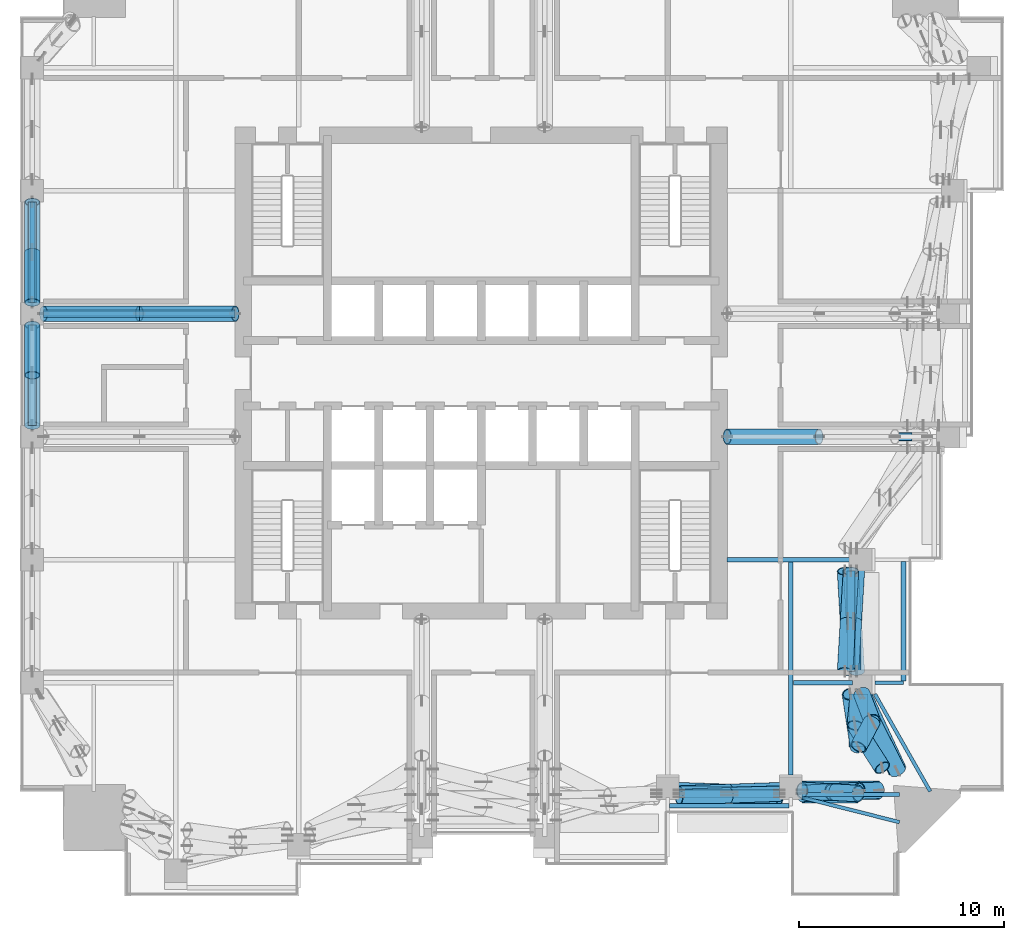
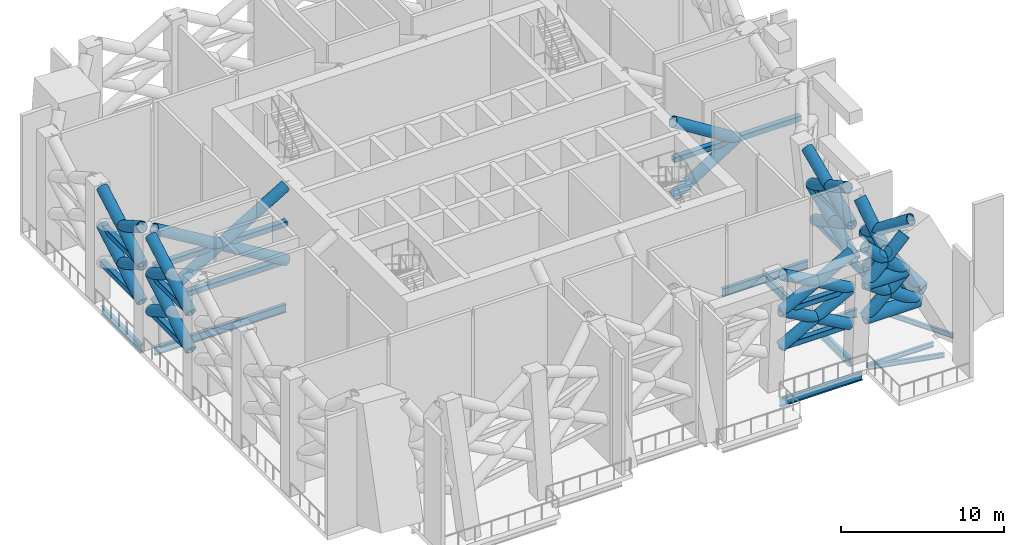
# One storey, part 3 of 19: 38 members, 26 beams.
"""IFC4 building model written with IfcOpenShell, lengths in metres."""

import ifcopenshell
import ifcopenshell.guid

model = None  # the IFC model being written
_history = None  # IfcOwnerHistory: only IFC2X3 demands one
_inside = {}  # id of a spatial element -> (the spatial element, [elements in it])
_under = {}  # id of a project, library or spatial element -> (it, [spatial elements below it])
_declared = {}  # id of a project -> (the project, [libraries it declares])
_typed = {}  # id of a type object -> (the type object, [elements of that type])
_made_of = {}  # id of a material, layer set ... -> (it, [elements and type objects made of it])


def new_model(schema):
    """Start an empty IFC model of exactly this schema.

    Asked for "IFC4X3", IfcOpenShell would pick the latest addendum, in which some entities
    have other attributes; the version numbers below select the first issue.
    IFC2X3 requires an IfcOwnerHistory on every rooted entity: one is made here for all.
    """
    global model, _history
    if schema == "IFC4X3":
        model = ifcopenshell.file(schema_version=(4, 3, 0, 0))
    else:
        model = ifcopenshell.file(schema=schema)
    _inside.clear()
    _under.clear()
    _declared.clear()
    _typed.clear()
    _made_of.clear()
    _history = None
    if model.schema == "IFC2X3":
        org = make("IfcOrganization", Name="unknown")
        user = make(
            "IfcPersonAndOrganization",
            ThePerson=make("IfcPerson", FamilyName="unknown"),
            TheOrganization=org,
        )
        app = make(
            "IfcApplication",
            ApplicationDeveloper=org,
            Version="unknown",
            ApplicationFullName="unknown",
            ApplicationIdentifier="unknown",
        )
        _history = make(
            "IfcOwnerHistory",
            OwningUser=user,
            OwningApplication=app,
            ChangeAction="ADDED",
            CreationDate=0,
        )
    return model


def make(cls, **values):
    """One entity of the class cls with the attributes given. An attribute that is None is left unset."""
    return model.create_entity(
        cls, **{name: value for name, value in values.items() if value is not None}
    )


def rooted(cls, **values):
    """An entity with a GlobalId (a new one), such as an element, a storey or a relation."""
    return make(cls, GlobalId=ifcopenshell.guid.new(), OwnerHistory=_history, **values)


def si_unit(unit_type, name, prefix=None):
    """IfcSIUnit, for example si_unit("LENGTHUNIT", "METRE", prefix="MILLI")."""
    return make("IfcSIUnit", UnitType=unit_type, Prefix=prefix, Name=name)


def assignment(units):
    """IfcUnitAssignment: the units of a project."""
    return None if units is None else make("IfcUnitAssignment", Units=units)


def point(xyz):
    """IfcCartesianPoint."""
    return None if xyz is None else make("IfcCartesianPoint", Coordinates=xyz)


def direction(xyz):
    """IfcDirection."""
    return None if xyz is None else make("IfcDirection", DirectionRatios=xyz)


def frame(location, z_axis=None, x_axis=None):
    """IfcAxis2Placement3D, a coordinate frame: its origin and axes. An axis left out is left unset."""
    return make(
        "IfcAxis2Placement3D",
        Location=point(location),
        Axis=direction(z_axis),
        RefDirection=direction(x_axis),
    )


def frame_2d(location, x_axis=None):
    """IfcAxis2Placement2D, a coordinate frame in the plane: its origin and x axis."""
    return make(
        "IfcAxis2Placement2D", Location=point(location), RefDirection=direction(x_axis)
    )


def origin():
    """The frame at (0, 0, 0) with its axes left unset."""
    return frame((0.0, 0.0, 0.0))


def origin_2d():
    """The frame at (0, 0) in the plane with its x axis left unset."""
    return frame_2d((0.0, 0.0))


def place(relative_to, where):
    """IfcLocalPlacement: puts the frame where relative to a parent placement (None: the world)."""
    return make(
        "IfcLocalPlacement", PlacementRelTo=relative_to, RelativePlacement=where
    )


def context(
    kind, dimensions, precision=None, world=None, true_north=None, identifier=None
):
    """IfcGeometricRepresentationContext, for example the 3D "Model" context."""
    return make(
        "IfcGeometricRepresentationContext",
        ContextIdentifier=identifier,
        ContextType=kind,
        CoordinateSpaceDimension=dimensions,
        Precision=precision,
        WorldCoordinateSystem=world,
        TrueNorth=true_north,
    )


def subcontext(parent, identifier, kind, view, scale=None):
    """IfcGeometricRepresentationSubContext, for example "Body" below "Model"."""
    return make(
        "IfcGeometricRepresentationSubContext",
        ContextIdentifier=identifier,
        ContextType=kind,
        ParentContext=parent,
        TargetScale=scale,
        TargetView=view,
    )


def project(units=None, contexts=None):
    """IfcProject with its units and contexts."""
    return rooted(
        "IfcProject",
        Name="project",
        RepresentationContexts=contexts,
        UnitsInContext=assignment(units),
    )


def spatial(cls, under=None, at=None, **own):
    """A site, building, storey or space (cls), placed at a placement, below another one or the project."""
    s = rooted(cls, ObjectPlacement=at, **own)
    if under is not None:
        _under.setdefault(under.id(), (under, []))[1].append(s)
    return s


def profile(cls, at=None, kind="AREA", **sizes):
    """A parametric profile (cls). Its sizes go by their IFC names, for example OverallWidth=200.0."""
    return make(cls, ProfileType=kind, Position=at, **sizes)


def hollow_rectangle(**sizes):
    """IfcRectangleHollowProfileDef."""
    return profile("IfcRectangleHollowProfileDef", **sizes)


def hollow_circle(**sizes):
    """IfcCircleHollowProfileDef."""
    return profile("IfcCircleHollowProfileDef", **sizes)


def i_section(**sizes):
    """IfcIShapeProfileDef."""
    return profile("IfcIShapeProfileDef", **sizes)


def extrude(swept, where, along, depth):
    """IfcExtrudedAreaSolid: the profile swept, set in the frame where, extruded along a direction by depth."""
    return make(
        "IfcExtrudedAreaSolid",
        SweptArea=swept,
        Position=where,
        ExtrudedDirection=direction(along),
        Depth=depth,
    )


def shape(context_of_items, identifier, shape_type, items):
    """IfcShapeRepresentation: the items that make up one representation, for example the "Body"."""
    return make(
        "IfcShapeRepresentation",
        ContextOfItems=context_of_items,
        RepresentationIdentifier=identifier,
        RepresentationType=shape_type,
        Items=items,
    )


def material(Name=None, Category=None):
    """IfcMaterial."""
    return make("IfcMaterial", Name=Name, Category=Category)


def material_profile(
    of_material, cross_section, Name=None, Category=None, Priority=None
):
    """IfcMaterialProfile: a cross section and its material."""
    return make(
        "IfcMaterialProfile",
        Name=Name,
        Material=of_material,
        Profile=cross_section,
        Priority=Priority,
        Category=Category,
    )


def profile_set(profiles, Name=None, composite=None):
    """IfcMaterialProfileSet."""
    return make(
        "IfcMaterialProfileSet",
        Name=Name,
        MaterialProfiles=profiles,
        CompositeProfile=composite,
    )


def made_of(thing, what):
    """Note that an element or type object is made of a material, layer set ...; save() writes the relation."""
    if what is not None:
        _made_of.setdefault(what.id(), (what, []))[1].append(thing)
    return thing


def type_object(cls, material=None, **own):
    """A type object (cls), such as IfcWallType, which elements share."""
    return made_of(rooted(cls, **own), material)


def element(
    cls,
    number,
    at=None,
    inside=None,
    cuts=None,
    type_object=None,
    material=None,
    context=None,
    identifier="Body",
    shape_type=None,
    held_by="IfcProductDefinitionShape",
    body=None,
    shapes=None,
    **own,
):
    """One element of the class cls, such as IfcWall. Its Tag is "e" and its number.

    at: its placement. inside: the storey or other place that contains it. cuts: it is an
    opening in that element (IfcRelVoidsElement). A single representation is given by context,
    identifier, shape_type and body (its items); several are given by shapes. held_by: the class
    of the entity that holds the representations. save() writes the other relations.
    """
    e = rooted(cls, Tag="e%d" % number, ObjectPlacement=at, **own)
    if body is not None:
        shapes = [shape(context, identifier, shape_type, body)]
    if shapes is not None:
        e.Representation = make(held_by, Representations=shapes)
    if inside is not None:
        _inside.setdefault(inside.id(), (inside, []))[1].append(e)
    if cuts is not None:
        rooted(
            "IfcRelVoidsElement", RelatingBuildingElement=cuts, RelatedOpeningElement=e
        )
    if type_object is not None:
        _typed.setdefault(type_object.id(), (type_object, []))[1].append(e)
    return made_of(e, material)


def aggregate(whole, parts):
    """IfcRelAggregates: a whole, such as a stair, and the parts it consists of."""
    return rooted("IfcRelAggregates", RelatingObject=whole, RelatedObjects=parts)


def save(model, path):
    """Write the relations noted so far, then the file.

    IfcRelAggregates (storeys below a building ...), IfcRelContainedInSpatialStructure (elements
    in a storey), IfcRelDefinesByType, IfcRelAssociatesMaterial and IfcRelDeclares: one each for
    every whole, place, type object, material and project.
    """
    for whole, parts in _under.values():
        aggregate(whole, parts)
    for where, things in _inside.values():
        rooted(
            "IfcRelContainedInSpatialStructure",
            RelatedElements=things,
            RelatingStructure=where,
        )
    for kind, things in _typed.values():
        rooted("IfcRelDefinesByType", RelatedObjects=things, RelatingType=kind)
    for what, things in _made_of.values():
        rooted("IfcRelAssociatesMaterial", RelatedObjects=things, RelatingMaterial=what)
    for by, libraries in _declared.values():
        rooted("IfcRelDeclares", RelatingContext=by, RelatedDefinitions=libraries)
    model.write(path)


model = new_model("IFC4")

# Units and contexts
model_context = context("Model", 3, precision=1e-05, world=origin(), true_north=direction((0.0, 1.0)))
body_context = subcontext(model_context, "Body", "Model", "MODEL_VIEW")
ifc_project = project(units=[si_unit("LENGTHUNIT", "METRE"), si_unit("AREAUNIT", "SQUARE_METRE"), si_unit("VOLUMEUNIT", "CUBIC_METRE"), si_unit("PLANEANGLEUNIT", "RADIAN"), si_unit("MASSUNIT", "GRAM", prefix="KILO")], contexts=[model_context])

# Site, building, storey
site_placement = place(None, origin())
site = spatial("IfcSite", under=ifc_project, at=site_placement, CompositionType="ELEMENT")
building_placement = place(site_placement, origin())
building = spatial("IfcBuilding", under=site, at=building_placement, Name="Amberfall Residences", CompositionType="ELEMENT")
storey_placement = place(building_placement, frame((0.0, 0.0, 124.89990234375)))
storey = spatial("IfcBuildingStorey", under=building, at=storey_placement, Name="L34", CompositionType="ELEMENT", Elevation=124.89990234375)

# Beams
ifc_material = material(Name="Steel S355", Category="steel")
ifc_material_profile_1 = material_profile(ifc_material, hollow_circle(Radius=0.457275390625, WallThickness=0.06005859375, at=origin_2d()), Name="CHS 914.4x60")
ifc_profile_set_1 = profile_set([ifc_material_profile_1], Name="Steel S355")
beam_type_1 = type_object("IfcBeamType", Name="Belt truss chord BT CHS 914.4x60", PredefinedType="BEAM", material=ifc_profile_set_1)
beam_1_placement = place(storey_placement, frame((94.8115234375, 26.087158203125, 3.0), z_axis=(-0.42072217015, 0.907189536726, 0.0), x_axis=(-0.907189536726, -0.42072217015, 0.0)))
element("IfcBeam", 1, at=beam_1_placement, inside=storey, type_object=beam_type_1, Name="Belt truss chord BT2 L34 SEE", PredefinedType="BEAM", context=body_context, shape_type="SweptSolid", body=[
    extrude(hollow_circle(Radius=0.457275390625, WallThickness=0.06005859375, at=origin_2d()), origin(), (0.0, 0.0, 1.0), 4.14794921875),
])
beam_2_placement = place(storey_placement, frame((92.901611328125, 27.2744140625, 5.646484375), z_axis=(0.0, 1.0, 0.0), x_axis=(-1.0, 0.0, 0.0)))
element("IfcBeam", 2, at=beam_2_placement, inside=storey, type_object=beam_type_1, Name="Belt truss chord BT2 L34 SEEm", PredefinedType="BEAM", context=body_context, shape_type="SweptSolid", body=[
    extrude(hollow_circle(Radius=0.457275390625, WallThickness=0.06005859375, at=origin_2d()), origin(), (0.0, 0.0, 1.0), 2.57568359375),
])
beam_3_placement = place(storey_placement, frame((93.91552734375, 25.153564453125, 3.0), z_axis=(-1.0, 0.0, 0.0), x_axis=(0.0, -1.0, 0.0)))
element("IfcBeam", 3, at=beam_3_placement, inside=storey, type_object=beam_type_1, Name="Belt truss chord BT2 L34 SES", PredefinedType="BEAM", context=body_context, shape_type="SweptSolid", body=[
    extrude(hollow_circle(Radius=0.457275390625, WallThickness=0.06005859375, at=origin_2d()), origin(), (0.0, 0.0, 1.0), 3.765625),
])
beam_4_placement = place(storey_placement, frame((92.887939453125, 24.99658203125, 5.646484375), z_axis=(-1.0, 0.0, 0.0), x_axis=(0.0, -1.0, 0.0)))
element("IfcBeam", 4, at=beam_4_placement, inside=storey, type_object=beam_type_1, Name="Belt truss chord BT2 L34 SESm", PredefinedType="BEAM", context=body_context, shape_type="SweptSolid", body=[
    extrude(hollow_circle(Radius=0.457275390625, WallThickness=0.06005859375, at=origin_2d()), origin(), (0.0, 0.0, 1.0), 2.738037109375),
])
ifc_material_profile_2 = material_profile(ifc_material, hollow_rectangle(XDim=0.39990234375, YDim=0.39990234375, WallThickness=0.02001953125, InnerFilletRadius=0.02001953125, OuterFilletRadius=0.030029296875, at=origin_2d()), Name="RHS 400x400x20")
ifc_profile_set_2 = profile_set([ifc_material_profile_2], Name="Steel S355")
beam_type_2 = type_object("IfcBeamType", Name="Belt truss chord BT RHS 400x400x20", PredefinedType="BEAM", material=ifc_profile_set_2)
for number, where, z_axis, x_axis, name in (
    (5, (84.14990234375, 25.159423828125, 2.900146484375), (1.0, 0.0, 0.0), (0.0, 1.0, 0.0), "Belt truss chord BT3 L34 S5"),
    (6, (84.14990234375, 24.99365234375, 5.7001953125), (1.0, 0.0, 0.0), (0.0, 1.0, 0.0), "Belt truss chord BT3 L34 S5m"),
    (7, (92.821533203125, 30.949951171875, 2.900146484375), (0.0, 1.0, 0.0), (-1.0, 0.0, 0.0), "Belt truss chord BT3 L34 E1"),
    (8, (92.53369140625, 30.949951171875, 5.7001953125), (0.0, 1.0, 0.0), (-1.0, 0.0, 0.0), "Belt truss chord BT3 L34 E1m"),
    (9, (52.60009765625, 42.949951171875, 2.900146484375), (0.0, 1.0, 0.0), (-1.0, 0.0, 0.0), "Belt truss chord BT3 L34 W3"),
    (10, (52.60009765625, 42.949951171875, 5.7001953125), (0.0, 1.0, 0.0), (-1.0, 0.0, 0.0), "Belt truss chord BT3 L34 W3m"),
    (11, (52.60009765625, 48.949951171875, 2.900146484375), (0.0, 1.0, 0.0), (-1.0, 0.0, 0.0), "Belt truss chord BT3 L34 W4"),
    (12, (52.60009765625, 48.949951171875, 5.7001953125), (0.0, 1.0, 0.0), (-1.0, 0.0, 0.0), "Belt truss chord BT3 L34 W4m"),
):
    element("IfcBeam", number, at=place(storey_placement, frame(where, z_axis=z_axis, x_axis=x_axis)), inside=storey, type_object=beam_type_2, Name=name, PredefinedType="BEAM", context=body_context, shape_type="SweptSolid", body=[
        extrude(hollow_rectangle(XDim=0.39990234375, YDim=0.39990234375, WallThickness=0.02001953125, InnerFilletRadius=0.02001953125, OuterFilletRadius=0.030029296875, at=origin_2d()), origin(), (0.0, 0.0, 1.0), 4.900146484375),
    ])

# Members
ifc_material_profile_3 = material_profile(ifc_material, hollow_circle(Radius=0.381103515625, WallThickness=0.0400390625, at=origin_2d()), Name="CHS 762x40")
ifc_profile_set_3 = profile_set([ifc_material_profile_3], Name="Steel S355")
member_type_1 = type_object("IfcMemberType", Name="Belt truss diagonal BT CHS 762x40", PredefinedType="BRACE", material=ifc_profile_set_3)
member_1_placement = place(storey_placement, frame((84.14990234375, 25.159423828125, 2.900146484375), z_axis=(0.867871505154, -0.029360009566, 0.495920397221), x_axis=(0.033810561915, 0.999428259508, 0.0)))
element("IfcMember", 13, at=member_1_placement, inside=storey, type_object=member_type_1, Name="Belt truss diagonal BT4 L34 S5d", PredefinedType="BRACE", context=body_context, shape_type="SweptSolid", body=[
    extrude(hollow_circle(Radius=0.381103515625, WallThickness=0.0400390625, at=origin_2d()), origin(), (0.0, 0.0, 1.0), 5.646240234375),
])
member_2_placement = place(storey_placement, frame((84.14990234375, 24.99365234375, 5.7001953125), z_axis=(0.867864667638, 0.029315077952, -0.495935020815), x_axis=(-0.033759144002, 0.999429997647, 0.0)))
element("IfcMember", 14, at=member_2_placement, inside=storey, type_object=member_type_1, Name="Belt truss diagonal BT4 L34 S5e", PredefinedType="BRACE", context=body_context, shape_type="SweptSolid", body=[
    extrude(hollow_circle(Radius=0.381103515625, WallThickness=0.0400390625, at=origin_2d()), origin(), (0.0, 0.0, 1.0), 2.8232421875),
])
member_3_placement = place(storey_placement, frame((86.60009765625, 25.076416015625, 4.300048828125), z_axis=(0.867878341482, 0.029404946298, -0.495905770808), x_axis=(-0.033861984685, 0.999426518556, 0.0)))
element("IfcMember", 15, at=member_3_placement, inside=storey, type_object=member_type_1, Name="Belt truss diagonal BT4 L34 S5e2", PredefinedType="BRACE", context=body_context, shape_type="SweptSolid", body=[
    extrude(hollow_circle(Radius=0.381103515625, WallThickness=0.0400390625, at=origin_2d()), origin(), (0.0, 0.0, 1.0), 2.822998046875),
])
member_4_placement = place(storey_placement, frame((84.14990234375, 24.99365234375, 5.7001953125), z_axis=(0.867889012592, -0.029403842786, 0.495887160401), x_axis=(0.033860299509, 0.999426575651, 0.0)))
element("IfcMember", 16, at=member_4_placement, inside=storey, type_object=member_type_1, Name="Belt truss diagonal BT4 L34 S5du", PredefinedType="BRACE", context=body_context, shape_type="SweptSolid", body=[
    extrude(hollow_circle(Radius=0.381103515625, WallThickness=0.0400390625, at=origin_2d()), origin(), (0.0, 0.0, 1.0), 5.64599609375),
])
member_5_placement = place(storey_placement, frame((84.14990234375, 24.82763671875, 8.5), z_axis=(0.867899682502, 0.029402739343, -0.495868551162), x_axis=(-0.033858614501, 0.999426632737, 0.0)))
element("IfcMember", 17, at=member_5_placement, inside=storey, type_object=member_type_1, Name="Belt truss diagonal BT4 L34 S5eu", PredefinedType="BRACE", context=body_context, shape_type="SweptSolid", body=[
    extrude(hollow_circle(Radius=0.381103515625, WallThickness=0.0400390625, at=origin_2d()), origin(), (0.0, 0.0, 1.0), 2.8232421875),
])
member_6_placement = place(storey_placement, frame((86.60009765625, 24.91064453125, 7.10009765625), z_axis=(0.867878341482, 0.029404946298, -0.495905770808), x_axis=(-0.033861984685, 0.999426518556, 0.0)))
element("IfcMember", 18, at=member_6_placement, inside=storey, type_object=member_type_1, Name="Belt truss diagonal BT4 L34 S5e2u", PredefinedType="BRACE", context=body_context, shape_type="SweptSolid", body=[
    extrude(hollow_circle(Radius=0.381103515625, WallThickness=0.0400390625, at=origin_2d()), origin(), (0.0, 0.0, 1.0), 2.822998046875),
])
member_7_placement = place(storey_placement, frame((92.821533203125, 30.949951171875, 2.900146484375), z_axis=(-0.050935828638, 0.86711875878, 0.495490261793), x_axis=(-0.998279172068, -0.058640383831, 0.0)))
element("IfcMember", 19, at=member_7_placement, inside=storey, type_object=member_type_1, Name="Belt truss diagonal BT4 L34 E1d", PredefinedType="BRACE", context=body_context, shape_type="SweptSolid", body=[
    extrude(hollow_circle(Radius=0.381103515625, WallThickness=0.0400390625, at=origin_2d()), origin(), (0.0, 0.0, 1.0), 5.651123046875),
])
member_8_placement = place(storey_placement, frame((92.53369140625, 30.949951171875, 5.7001953125), z_axis=(0.050893555041, 0.867091383431, -0.495542509614), x_axis=(-0.99828191169, 0.058593726556, 0.0)))
element("IfcMember", 20, at=member_8_placement, inside=storey, type_object=member_type_1, Name="Belt truss diagonal BT4 L34 E1e", PredefinedType="BRACE", context=body_context, shape_type="SweptSolid", body=[
    extrude(hollow_circle(Radius=0.381103515625, WallThickness=0.0400390625, at=origin_2d()), origin(), (0.0, 0.0, 1.0), 2.825439453125),
])
member_9_placement = place(storey_placement, frame((92.677490234375, 33.39990234375, 4.300048828125), z_axis=(0.050978100424, 0.867146128564, -0.495438013271), x_axis=(-0.998276430553, 0.058687036073, 0.0)))
element("IfcMember", 21, at=member_9_placement, inside=storey, type_object=member_type_1, Name="Belt truss diagonal BT4 L34 E1e2", PredefinedType="BRACE", context=body_context, shape_type="SweptSolid", body=[
    extrude(hollow_circle(Radius=0.381103515625, WallThickness=0.0400390625, at=origin_2d()), origin(), (0.0, 0.0, 1.0), 2.82568359375),
])
member_10_placement = place(storey_placement, frame((92.53369140625, 30.949951171875, 5.7001953125), z_axis=(-0.050980010238, 0.867135411432, 0.495456574077), x_axis=(-0.998276259245, -0.058689949973, 0.0)))
element("IfcMember", 22, at=member_10_placement, inside=storey, type_object=member_type_1, Name="Belt truss diagonal BT4 L34 E1du", PredefinedType="BRACE", context=body_context, shape_type="SweptSolid", body=[
    extrude(hollow_circle(Radius=0.381103515625, WallThickness=0.0400390625, at=origin_2d()), origin(), (0.0, 0.0, 1.0), 5.65087890625),
])
member_11_placement = place(storey_placement, frame((92.24560546875, 30.949951171875, 8.5), z_axis=(0.050981920172, 0.867124693096, -0.495475136045), x_axis=(-0.998276087912, 0.058692864162, 0.0)))
element("IfcMember", 23, at=member_11_placement, inside=storey, type_object=member_type_1, Name="Belt truss diagonal BT4 L34 E1eu", PredefinedType="BRACE", context=body_context, shape_type="SweptSolid", body=[
    extrude(hollow_circle(Radius=0.381103515625, WallThickness=0.0400390625, at=origin_2d()), origin(), (0.0, 0.0, 1.0), 2.825439453125),
])
member_12_placement = place(storey_placement, frame((92.3896484375, 33.39990234375, 7.10009765625), z_axis=(0.050978100424, 0.867146128564, -0.495438013271), x_axis=(-0.998276430553, 0.058687036073, 0.0)))
element("IfcMember", 24, at=member_12_placement, inside=storey, type_object=member_type_1, Name="Belt truss diagonal BT4 L34 E1e2u", PredefinedType="BRACE", context=body_context, shape_type="SweptSolid", body=[
    extrude(hollow_circle(Radius=0.381103515625, WallThickness=0.0400390625, at=origin_2d()), origin(), (0.0, 0.0, 1.0), 2.82568359375),
])
member_13_placement = place(storey_placement, frame((52.60009765625, 42.949951171875, 2.900146484375), z_axis=(0.0, 0.868245804187, 0.496134279718), x_axis=(-1.0, 0.0, 0.0)))
element("IfcMember", 25, at=member_13_placement, inside=storey, type_object=member_type_1, Name="Belt truss diagonal BT4 L34 W3d", PredefinedType="BRACE", context=body_context, shape_type="SweptSolid", body=[
    extrude(hollow_circle(Radius=0.381103515625, WallThickness=0.0400390625, at=origin_2d()), origin(), (0.0, 0.0, 1.0), 5.643798828125),
])
member_14_placement = place(storey_placement, frame((52.60009765625, 45.39990234375, 4.300048828125), z_axis=(0.0, 0.868275084713, -0.49608303465), x_axis=(-1.0, 0.0, 0.0)))
element("IfcMember", 26, at=member_14_placement, inside=storey, type_object=member_type_1, Name="Belt truss diagonal BT4 L34 W3e2", PredefinedType="BRACE", context=body_context, shape_type="SweptSolid", body=[
    extrude(hollow_circle(Radius=0.381103515625, WallThickness=0.0400390625, at=origin_2d()), origin(), (0.0, 0.0, 1.0), 2.822021484375),
])
member_15_placement = place(storey_placement, frame((52.60009765625, 42.949951171875, 5.7001953125), z_axis=(0.0, 0.868264438383, 0.496101668047), x_axis=(-1.0, 0.0, 0.0)))
element("IfcMember", 27, at=member_15_placement, inside=storey, type_object=member_type_1, Name="Belt truss diagonal BT4 L34 W3du", PredefinedType="BRACE", context=body_context, shape_type="SweptSolid", body=[
    extrude(hollow_circle(Radius=0.381103515625, WallThickness=0.0400390625, at=origin_2d()), origin(), (0.0, 0.0, 1.0), 5.6435546875),
])
member_16_placement = place(storey_placement, frame((52.60009765625, 45.39990234375, 7.10009765625), z_axis=(0.0, 0.868275084713, -0.49608303465), x_axis=(-1.0, 0.0, 0.0)))
element("IfcMember", 28, at=member_16_placement, inside=storey, type_object=member_type_1, Name="Belt truss diagonal BT4 L34 W3e2u", PredefinedType="BRACE", context=body_context, shape_type="SweptSolid", body=[
    extrude(hollow_circle(Radius=0.381103515625, WallThickness=0.0400390625, at=origin_2d()), origin(), (0.0, 0.0, 1.0), 2.822021484375),
])
member_17_placement = place(storey_placement, frame((52.60009765625, 48.949951171875, 2.900146484375), z_axis=(0.0, 0.868245804187, 0.496134279718), x_axis=(-1.0, 0.0, 0.0)))
element("IfcMember", 29, at=member_17_placement, inside=storey, type_object=member_type_1, Name="Belt truss diagonal BT4 L34 W4d", PredefinedType="BRACE", context=body_context, shape_type="SweptSolid", body=[
    extrude(hollow_circle(Radius=0.381103515625, WallThickness=0.0400390625, at=origin_2d()), origin(), (0.0, 0.0, 1.0), 5.643798828125),
])
member_18_placement = place(storey_placement, frame((52.60009765625, 48.949951171875, 5.7001953125), z_axis=(0.0, 0.868216519694, -0.496185524708), x_axis=(-1.0, 0.0, 0.0)))
element("IfcMember", 30, at=member_18_placement, inside=storey, type_object=member_type_1, Name="Belt truss diagonal BT4 L34 W4e", PredefinedType="BRACE", context=body_context, shape_type="SweptSolid", body=[
    extrude(hollow_circle(Radius=0.381103515625, WallThickness=0.0400390625, at=origin_2d()), origin(), (0.0, 0.0, 1.0), 2.82177734375),
])
member_19_placement = place(storey_placement, frame((52.60009765625, 48.949951171875, 5.7001953125), z_axis=(0.0, 0.868264438383, 0.496101668047), x_axis=(-1.0, 0.0, 0.0)))
element("IfcMember", 31, at=member_19_placement, inside=storey, type_object=member_type_1, Name="Belt truss diagonal BT4 L34 W4du", PredefinedType="BRACE", context=body_context, shape_type="SweptSolid", body=[
    extrude(hollow_circle(Radius=0.381103515625, WallThickness=0.0400390625, at=origin_2d()), origin(), (0.0, 0.0, 1.0), 5.6435546875),
])
member_20_placement = place(storey_placement, frame((52.60009765625, 48.949951171875, 8.5), z_axis=(0.0, 0.868253790854, -0.496120302616), x_axis=(-1.0, 0.0, 0.0)))
element("IfcMember", 32, at=member_20_placement, inside=storey, type_object=member_type_1, Name="Belt truss diagonal BT4 L34 W4eu", PredefinedType="BRACE", context=body_context, shape_type="SweptSolid", body=[
    extrude(hollow_circle(Radius=0.381103515625, WallThickness=0.0400390625, at=origin_2d()), origin(), (0.0, 0.0, 1.0), 2.82177734375),
])
ifc_material_profile_4 = material_profile(ifc_material, hollow_circle(Radius=0.406494140625, WallThickness=0.050048828125, at=origin_2d()), Name="CHS 813x50")
ifc_profile_set_4 = profile_set([ifc_material_profile_4], Name="Steel S355")
member_type_2 = type_object("IfcMemberType", Name="Belt truss diagonal BT CHS 813x50", PredefinedType="BRACE", material=ifc_profile_set_4)
member_21_placement = place(storey_placement, frame((94.8115234375, 26.087158203125, 3.0), z_axis=(-0.383431794593, 0.755443467987, 0.531305209433), x_axis=(-0.891714907536, -0.452597529466, 0.0)))
element("IfcMember", 33, at=member_21_placement, inside=storey, type_object=member_type_2, Name="Belt truss diagonal BT5 L34 SEEd", PredefinedType="BRACE", context=body_context, shape_type="SweptSolid", body=[
    extrude(hollow_circle(Radius=0.406494140625, WallThickness=0.050048828125, at=origin_2d()), origin(), (0.0, 0.0, 1.0), 4.981201171875),
])
member_22_placement = place(storey_placement, frame((92.901611328125, 27.2744140625, 5.646484375), z_axis=(0.393295398096, 0.740481291886, -0.544982739363), x_axis=(-0.883157861031, 0.469075892047, 0.0)))
element("IfcMember", 34, at=member_22_placement, inside=storey, type_object=member_type_2, Name="Belt truss diagonal BT5 L34 SEEe", PredefinedType="BRACE", context=body_context, shape_type="SweptSolid", body=[
    extrude(hollow_circle(Radius=0.406494140625, WallThickness=0.050048828125, at=origin_2d()), origin(), (0.0, 0.0, 1.0), 1.69970703125),
])
member_23_placement = place(storey_placement, frame((93.570068359375, 28.532958984375, 4.72021484375), z_axis=(-0.226432606168, 0.59214925365, -0.773361193923), x_axis=(-0.93403994385, -0.357168564256, 0.0)))
element("IfcMember", 35, at=member_23_placement, inside=storey, type_object=member_type_2, Name="Belt truss diagonal BT5 L34 SEEe2", PredefinedType="BRACE", context=body_context, shape_type="SweptSolid", body=[
    extrude(hollow_circle(Radius=0.406494140625, WallThickness=0.050048828125, at=origin_2d()), origin(), (0.0, 0.0, 1.0), 2.224365234375),
])
member_24_placement = place(storey_placement, frame((92.901611328125, 27.2744140625, 5.646484375), z_axis=(-0.105708575172, 0.693548176659, 0.712612534122), x_axis=(-0.988583058865, -0.150676924991, 0.0)))
element("IfcMember", 36, at=member_24_placement, inside=storey, type_object=member_type_2, Name="Belt truss diagonal BT5 L34 SEEdu", PredefinedType="BRACE", context=body_context, shape_type="SweptSolid", body=[
    extrude(hollow_circle(Radius=0.406494140625, WallThickness=0.050048828125, at=origin_2d()), origin(), (0.0, 0.0, 1.0), 3.7138671875),
])
member_25_placement = place(storey_placement, frame((94.06298828125, 26.25439453125, 8.29296875), z_axis=(-0.453456213777, 0.708897345849, -0.540224041704), x_axis=(-0.842399833139, -0.538852968005, 0.0)))
element("IfcMember", 37, at=member_25_placement, inside=storey, type_object=member_type_2, Name="Belt truss diagonal BT5 L34 SEEeu", PredefinedType="BRACE", context=body_context, shape_type="SweptSolid", body=[
    extrude(hollow_circle(Radius=0.406494140625, WallThickness=0.050048828125, at=origin_2d()), origin(), (0.0, 0.0, 1.0), 2.912109375),
])
member_26_placement = place(storey_placement, frame((92.742431640625, 28.31884765625, 6.7197265625), z_axis=(0.084820006885, 0.815937244147, -0.571884586299), x_axis=(-0.994640176053, 0.103396906056, 0.0)))
element("IfcMember", 38, at=member_26_placement, inside=storey, type_object=member_type_2, Name="Belt truss diagonal BT5 L34 SEEe2u", PredefinedType="BRACE", context=body_context, shape_type="SweptSolid", body=[
    extrude(hollow_circle(Radius=0.406494140625, WallThickness=0.050048828125, at=origin_2d()), origin(), (0.0, 0.0, 1.0), 1.876708984375),
])
member_27_placement = place(storey_placement, frame((93.91552734375, 25.153564453125, 3.0), z_axis=(-0.817678457403, -0.034087606854, 0.574665098434), x_axis=(0.041652099867, -0.999132174728, 0.0)))
element("IfcMember", 39, at=member_27_placement, inside=storey, type_object=member_type_2, Name="Belt truss diagonal BT5 L34 SESd", PredefinedType="BRACE", context=body_context, shape_type="SweptSolid", body=[
    extrude(hollow_circle(Radius=0.406494140625, WallThickness=0.050048828125, at=origin_2d()), origin(), (0.0, 0.0, 1.0), 4.605224609375),
])
member_28_placement = place(storey_placement, frame((92.887939453125, 24.99658203125, 5.646484375), z_axis=(-0.718424876027, 0.04123980966, -0.69438100176), x_axis=(-0.057308750755, -0.998356503002, 0.0)))
element("IfcMember", 40, at=member_28_placement, inside=storey, type_object=member_type_2, Name="Belt truss diagonal BT5 L34 SESe", PredefinedType="BRACE", context=body_context, shape_type="SweptSolid", body=[
    extrude(hollow_circle(Radius=0.406494140625, WallThickness=0.050048828125, at=origin_2d()), origin(), (0.0, 0.0, 1.0), 1.604248046875),
])
member_29_placement = place(storey_placement, frame((91.7353515625, 25.062744140625, 4.532470703125), z_axis=(-0.718408770326, 0.041153074001, -0.694402810492), x_axis=(-0.057189891376, -0.9983633188, 0.0)))
element("IfcMember", 41, at=member_29_placement, inside=storey, type_object=member_type_2, Name="Belt truss diagonal BT5 L34 SESe2", PredefinedType="BRACE", context=body_context, shape_type="SweptSolid", body=[
    extrude(hollow_circle(Radius=0.406494140625, WallThickness=0.050048828125, at=origin_2d()), origin(), (0.0, 0.0, 1.0), 2.206787109375),
])
member_30_placement = place(storey_placement, frame((92.887939453125, 24.99658203125, 5.646484375), z_axis=(-0.718483678552, 0.038823103808, 0.694459480651), x_axis=(-0.053956062975, -0.998543310662, 0.0)))
element("IfcMember", 42, at=member_30_placement, inside=storey, type_object=member_type_2, Name="Belt truss diagonal BT5 L34 SESdu", PredefinedType="BRACE", context=body_context, shape_type="SweptSolid", body=[
    extrude(hollow_circle(Radius=0.406494140625, WallThickness=0.050048828125, at=origin_2d()), origin(), (0.0, 0.0, 1.0), 3.810791015625),
])
member_31_placement = place(storey_placement, frame((92.952880859375, 25.14453125, 8.29296875), z_axis=(-0.726563555071, -0.038279691435, -0.686032117081), x_axis=(0.052612979216, -0.998614978066, 0.0)))
element("IfcMember", 43, at=member_31_placement, inside=storey, type_object=member_type_2, Name="Belt truss diagonal BT5 L34 SESeu", PredefinedType="BRACE", context=body_context, shape_type="SweptSolid", body=[
    extrude(hollow_circle(Radius=0.406494140625, WallThickness=0.050048828125, at=origin_2d()), origin(), (0.0, 0.0, 1.0), 1.95166015625),
])
member_32_placement = place(storey_placement, frame((91.534912109375, 25.06982421875, 6.9541015625), z_axis=(-0.726593482108, -0.038423769546, -0.685992365622), x_axis=(0.052808284984, -0.998604669044, 0.0)))
element("IfcMember", 44, at=member_32_placement, inside=storey, type_object=member_type_2, Name="Belt truss diagonal BT5 L34 SESe2u", PredefinedType="BRACE", context=body_context, shape_type="SweptSolid", body=[
    extrude(hollow_circle(Radius=0.406494140625, WallThickness=0.050048828125, at=origin_2d()), origin(), (0.0, 0.0, 1.0), 1.90625),
])

# Beams
ifc_material_profile_5 = material_profile(ifc_material, i_section(OverallWidth=0.171142578125, OverallDepth=0.351318359375, WebThickness=0.007080078125, FlangeThickness=0.009765625, FilletRadius=0.01025390625, at=origin_2d()), Name="UB 356x171x45")
ifc_profile_set_5 = profile_set([ifc_material_profile_5], Name="Steel S355")
beam_type_3 = type_object("IfcBeamType", Name="Cantilever girder UB 356x171x45", PredefinedType="BEAM", material=ifc_profile_set_5)
beam_5_placement = place(storey_placement, frame((93.699951171875, 30.39990234375, -0.525634765625), z_axis=(1.0, 0.0, 0.0), x_axis=(0.0, 1.0, 0.0)))
element("IfcBeam", 45, at=beam_5_placement, inside=storey, type_object=beam_type_3, Name="Cantilever girder B8 L34 20", PredefinedType="BEAM", context=body_context, shape_type="SweptSolid", body=[
    extrude(i_section(OverallWidth=0.171142578125, OverallDepth=0.351318359375, WebThickness=0.007080078125, FlangeThickness=0.009765625, FilletRadius=0.01025390625, at=origin_2d()), origin(), (0.0, 0.0, 1.0), 1.400146484375),
])
ifc_material_profile_6 = material_profile(ifc_material, i_section(OverallWidth=0.228271484375, OverallDepth=0.607666015625, WebThickness=0.010986328125, FlangeThickness=0.017333984375, FilletRadius=0.0126953125, at=origin_2d()), Name="UB 610x229x113")
ifc_profile_set_6 = profile_set([ifc_material_profile_6], Name="Steel S355")
beam_type_4 = type_object("IfcBeamType", Name="Edge beam UB 610x229x113", PredefinedType="SPANDREL", material=ifc_profile_set_6)
for number, where, z_axis, x_axis, name in (
    (46, (83.679931640625, 24.39990234375, -0.65380859375), (1.0, 0.0, 0.0), (0.0, 1.0, 0.0), "Edge beam B12 L34 05"),
    (47, (95.10009765625, 30.47998046875, -0.65380859375), (0.0, 1.0, 0.0), (-1.0, 0.0, 0.0), "Edge beam B12 L34 15"),
):
    element("IfcBeam", number, at=place(storey_placement, frame(where, z_axis=z_axis, x_axis=x_axis)), inside=storey, type_object=beam_type_4, Name=name, PredefinedType="SPANDREL", context=body_context, shape_type="SweptSolid", body=[
        extrude(i_section(OverallWidth=0.228271484375, OverallDepth=0.607666015625, WebThickness=0.010986328125, FlangeThickness=0.017333984375, FilletRadius=0.0126953125, at=origin_2d()), origin(), (0.0, 0.0, 1.0), 5.840087890625),
    ])
beam_6_placement = place(storey_placement, frame((52.60009765625, 48.949951171875, -0.65380859375), z_axis=(0.0, 1.0, 0.0), x_axis=(-1.0, 0.0, 0.0)))
element("IfcBeam", 48, at=beam_6_placement, inside=storey, type_object=beam_type_4, Name="Edge beam B12 L34 43", PredefinedType="SPANDREL", context=body_context, shape_type="SweptSolid", body=[
    extrude(i_section(OverallWidth=0.228271484375, OverallDepth=0.607666015625, WebThickness=0.010986328125, FlangeThickness=0.017333984375, FilletRadius=0.0126953125, at=origin_2d()), origin(), (0.0, 0.0, 1.0), 4.900146484375),
])
ifc_material_profile_7 = material_profile(ifc_material, i_section(OverallWidth=0.230224609375, OverallDepth=0.6171875, WebThickness=0.01318359375, FlangeThickness=0.022216796875, FilletRadius=0.0126953125, at=origin_2d()), Name="UB 610x229x140")
ifc_profile_set_7 = profile_set([ifc_material_profile_7], Name="Steel S355")
beam_type_5 = type_object("IfcBeamType", Name="Floor girder UB 610x229x140", PredefinedType="BEAM", material=ifc_profile_set_7)
beam_7_placement = place(storey_placement, frame((89.60009765625, 25.89990234375, -0.658447265625), z_axis=(0.0, 1.0, 0.0), x_axis=(-1.0, 0.0, 0.0)))
element("IfcBeam", 49, at=beam_7_placement, inside=storey, type_object=beam_type_5, Name="Floor girder B13 L34 14", PredefinedType="BEAM", context=body_context, shape_type="SweptSolid", body=[
    extrude(i_section(OverallWidth=0.230224609375, OverallDepth=0.6171875, WebThickness=0.01318359375, FlangeThickness=0.022216796875, FilletRadius=0.0126953125, at=origin_2d()), origin(), (0.0, 0.0, 1.0), 10.389892578125),
])
beam_8_placement = place(storey_placement, frame((92.60009765625, 30.39990234375, -0.658447265625), z_axis=(-1.0, 0.0, 0.0), x_axis=(0.0, -1.0, 0.0)))
element("IfcBeam", 50, at=beam_8_placement, inside=storey, type_object=beam_type_5, Name="Floor girder B13 L34 23", PredefinedType="BEAM", context=body_context, shape_type="SweptSolid", body=[
    extrude(i_section(OverallWidth=0.230224609375, OverallDepth=0.6171875, WebThickness=0.01318359375, FlangeThickness=0.022216796875, FilletRadius=0.0126953125, at=origin_2d()), origin(), (0.0, 0.0, 1.0), 2.880126953125),
])
beam_9_placement = place(storey_placement, frame((92.60009765625, 36.39990234375, -0.658447265625), z_axis=(-1.0, 0.0, 0.0), x_axis=(0.0, -1.0, 0.0)))
element("IfcBeam", 51, at=beam_9_placement, inside=storey, type_object=beam_type_5, Name="Floor girder B13 L34 24", PredefinedType="BEAM", context=body_context, shape_type="SweptSolid", body=[
    extrude(i_section(OverallWidth=0.230224609375, OverallDepth=0.6171875, WebThickness=0.01318359375, FlangeThickness=0.022216796875, FilletRadius=0.0126953125, at=origin_2d()), origin(), (0.0, 0.0, 1.0), 6.10009765625),
])
beam_10_placement = place(storey_placement, frame((53.14990234375, 48.39990234375, -0.658447265625), z_axis=(1.0, 0.0, 0.0), x_axis=(0.0, 1.0, 0.0)))
element("IfcBeam", 52, at=beam_10_placement, inside=storey, type_object=beam_type_5, Name="Floor girder B13 L34 48", PredefinedType="BEAM", context=body_context, shape_type="SweptSolid", body=[
    extrude(i_section(OverallWidth=0.230224609375, OverallDepth=0.6171875, WebThickness=0.01318359375, FlangeThickness=0.022216796875, FilletRadius=0.0126953125, at=origin_2d()), origin(), (0.0, 0.0, 1.0), 9.35009765625),
])
ifc_material_profile_8 = material_profile(ifc_material, i_section(OverallWidth=0.171142578125, OverallDepth=0.351318359375, WebThickness=0.007080078125, FlangeThickness=0.009765625, FilletRadius=0.01025390625, at=origin_2d()), Name="UB 356x171x45")
ifc_profile_set_8 = profile_set([ifc_material_profile_8], Name="Steel S355")
beam_type_6 = type_object("IfcBeamType", Name="Link beam UB 356x171x45", PredefinedType="BEAM", material=ifc_profile_set_8)
beam_11_placement = place(storey_placement, frame((90.14990234375, 24.949951171875, -0.525634765625), z_axis=(1.0, 0.0, 0.0), x_axis=(0.0, 1.0, 0.0)))
element("IfcBeam", 53, at=beam_11_placement, inside=storey, type_object=beam_type_6, Name="Link beam B7 L34 51", PredefinedType="BEAM", context=body_context, shape_type="SweptSolid", body=[
    extrude(i_section(OverallWidth=0.171142578125, OverallDepth=0.351318359375, WebThickness=0.007080078125, FlangeThickness=0.009765625, FilletRadius=0.01025390625, at=origin_2d()), origin(), (0.0, 0.0, 1.0), 4.75),
])
beam_12_placement = place(storey_placement, frame((94.89990234375, 23.60009765625, -0.525634765625), z_axis=(-0.969541561087, 0.244926848928, 0.0), x_axis=(-0.244926848928, -0.969541561087, 0.0)))
element("IfcBeam", 54, at=beam_12_placement, inside=storey, type_object=beam_type_6, Name="Link beam B7 L34 54", PredefinedType="BEAM", context=body_context, shape_type="SweptSolid", body=[
    extrude(i_section(OverallWidth=0.171142578125, OverallDepth=0.351318359375, WebThickness=0.007080078125, FlangeThickness=0.009765625, FilletRadius=0.01025390625, at=origin_2d()), origin(), (0.0, 0.0, 1.0), 4.899169921875),
])
beam_13_placement = place(storey_placement, frame((96.39990234375, 25.10009765625, -0.525634765625), z_axis=(-0.494159870511, 0.869371049884, 0.0), x_axis=(-0.869371049884, -0.494159870511, 0.0)))
element("IfcBeam", 55, at=beam_13_placement, inside=storey, type_object=beam_type_6, Name="Link beam B7 L34 55", PredefinedType="BEAM", context=body_context, shape_type="SweptSolid", body=[
    extrude(i_section(OverallWidth=0.171142578125, OverallDepth=0.351318359375, WebThickness=0.007080078125, FlangeThickness=0.009765625, FilletRadius=0.01025390625, at=origin_2d()), origin(), (0.0, 0.0, 1.0), 5.463623046875),
])
ifc_material_profile_9 = material_profile(ifc_material, hollow_rectangle(XDim=0.39990234375, YDim=0.39990234375, WallThickness=0.02001953125, InnerFilletRadius=0.02001953125, OuterFilletRadius=0.030029296875, at=origin_2d()), Name="RHS 400x400x20")
ifc_profile_set_9 = profile_set([ifc_material_profile_9], Name="Steel S355")
beam_type_7 = type_object("IfcBeamType", Name="Outrigger truss chord OT RHS 400x400x20", PredefinedType="BEAM", material=ifc_profile_set_9)
for number, where, z_axis, x_axis, name in (
    (56, (53.14990234375, 48.39990234375, 2.900146484375), (1.0, 0.0, 0.0), (0.0, 1.0, 0.0), "Outrigger truss chord OT2 L34 6"),
    (57, (53.14990234375, 48.39990234375, 5.7001953125), (1.0, 0.0, 0.0), (0.0, 1.0, 0.0), "Outrigger truss chord OT2 L34 6m"),
):
    element("IfcBeam", number, at=place(storey_placement, frame(where, z_axis=z_axis, x_axis=x_axis)), inside=storey, type_object=beam_type_7, Name=name, PredefinedType="BEAM", context=body_context, shape_type="SweptSolid", body=[
        extrude(hollow_rectangle(XDim=0.39990234375, YDim=0.39990234375, WallThickness=0.02001953125, InnerFilletRadius=0.02001953125, OuterFilletRadius=0.030029296875, at=origin_2d()), origin(), (0.0, 0.0, 1.0), 9.35009765625),
    ])
beam_14_placement = place(storey_placement, frame((95.50341796875, 42.39990234375, 5.7001953125), z_axis=(-1.0, 0.0, 0.0), x_axis=(0.0, -1.0, 0.0)))
element("IfcBeam", 58, at=beam_14_placement, inside=storey, type_object=beam_type_7, Name="Outrigger truss chord OT2 L34 7m", PredefinedType="BEAM", context=body_context, shape_type="SweptSolid", body=[
    extrude(hollow_rectangle(XDim=0.39990234375, YDim=0.39990234375, WallThickness=0.02001953125, InnerFilletRadius=0.02001953125, OuterFilletRadius=0.030029296875, at=origin_2d()), origin(), (0.0, 0.0, 1.0), 9.00341796875),
])

# Members
ifc_material_profile_10 = material_profile(ifc_material, hollow_circle(Radius=0.381103515625, WallThickness=0.0400390625, at=origin_2d()), Name="CHS 762x40")
ifc_profile_set_10 = profile_set([ifc_material_profile_10], Name="Steel S355")
member_type_3 = type_object("IfcMemberType", Name="Outrigger truss diagonal OT CHS 762x40", PredefinedType="BRACE", material=ifc_profile_set_10)
for number, where, z_axis, x_axis, name in (
    (59, (53.14990234375, 48.39990234375, 2.900146484375), (0.857895872099, 0.0, 0.513823581237), (0.0, 1.0, 0.0), "Outrigger truss diagonal OT3 L34 6.1"),
    (60, (57.824951171875, 48.39990234375, 5.7001953125), (0.857895872099, 0.0, -0.513823581237), (0.0, 1.0, 0.0), "Outrigger truss diagonal OT3 L34 6.2"),
):
    element("IfcMember", number, at=place(storey_placement, frame(where, z_axis=z_axis, x_axis=x_axis)), inside=storey, type_object=member_type_3, Name=name, PredefinedType="BRACE", context=body_context, shape_type="SweptSolid", body=[
        extrude(hollow_circle(Radius=0.381103515625, WallThickness=0.0400390625, at=origin_2d()), origin(), (0.0, 0.0, 1.0), 5.449462890625),
    ])
for number, where, z_axis, x_axis, name in (
    (61, (53.14990234375, 48.39990234375, 8.5), (0.857915620555, 0.0, -0.513790607161), (0.0, 1.0, 0.0), "Outrigger truss diagonal OT3 L34 6.1u"),
    (62, (57.824951171875, 48.39990234375, 5.7001953125), (0.857915620555, 0.0, 0.513790607161), (0.0, 1.0, 0.0), "Outrigger truss diagonal OT3 L34 6.2u"),
):
    element("IfcMember", number, at=place(storey_placement, frame(where, z_axis=z_axis, x_axis=x_axis)), inside=storey, type_object=member_type_3, Name=name, PredefinedType="BRACE", context=body_context, shape_type="SweptSolid", body=[
        extrude(hollow_circle(Radius=0.381103515625, WallThickness=0.0400390625, at=origin_2d()), origin(), (0.0, 0.0, 1.0), 5.44921875),
    ])
for number, where, z_axis, x_axis, name in (
    (63, (90.98486328125, 42.39990234375, 5.7001953125), (-0.848252433658, 0.0, -0.529592115494), (0.0, -1.0, 0.0), "Outrigger truss diagonal OT3 L34 7.2"),
    (64, (90.98486328125, 42.39990234375, 5.7001953125), (-0.848273177041, 0.0, 0.529558889184), (0.0, -1.0, 0.0), "Outrigger truss diagonal OT3 L34 7.2u"),
):
    element("IfcMember", number, at=place(storey_placement, frame(where, z_axis=z_axis, x_axis=x_axis)), inside=storey, type_object=member_type_3, Name=name, PredefinedType="BRACE", context=body_context, shape_type="SweptSolid", body=[
        extrude(hollow_circle(Radius=0.381103515625, WallThickness=0.0400390625, at=origin_2d()), origin(), (0.0, 0.0, 1.0), 5.287109375),
    ])

save(model, "model.ifc")
